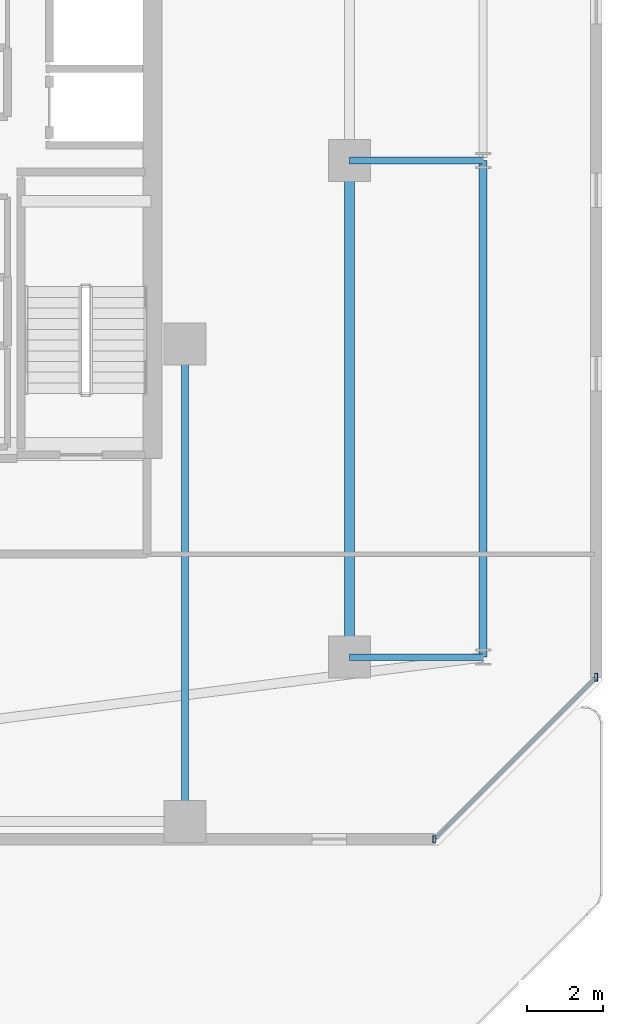
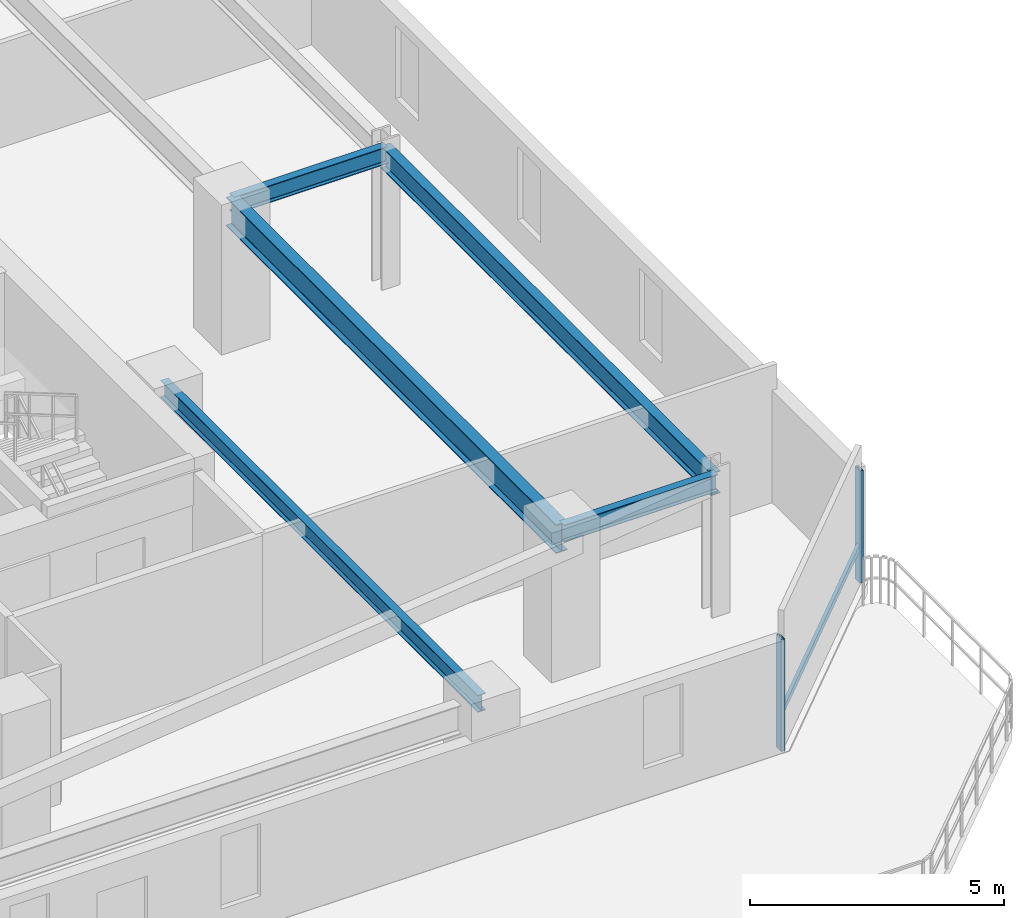
# One storey, part 12 of 30: 5 beams, 3 members, 1 element without a shape of its own.
"""IFC4 building model written with IfcOpenShell, lengths in metres."""

from ifc_helpers import new_model, si_unit, direction, frame, origin, origin_2d, place, context, subcontext, project, spatial, hollow_rectangle, i_section, extrude, material, material_profile, profile_set, type_object, element, aggregate, save


model = new_model("IFC4")

# Units and contexts
model_context = context("Model", 3, precision=1e-05, world=origin(), true_north=direction((0.0, 1.0)))
body_context = subcontext(model_context, "Body", "Model", "MODEL_VIEW")
ifc_project = project(units=[si_unit("LENGTHUNIT", "METRE"), si_unit("AREAUNIT", "SQUARE_METRE"), si_unit("VOLUMEUNIT", "CUBIC_METRE"), si_unit("PLANEANGLEUNIT", "RADIAN"), si_unit("MASSUNIT", "GRAM", prefix="KILO")], contexts=[model_context])

# Site, building, storey
site_placement = place(None, origin())
site = spatial("IfcSite", under=ifc_project, at=site_placement, CompositionType="ELEMENT")
building_placement = place(site_placement, origin())
building = spatial("IfcBuilding", under=site, at=building_placement, Name="Thornwick Lancets Civic Towers", CompositionType="ELEMENT")
storey_placement = place(building_placement, frame((0.0, 0.0, 149.10009765625)))
storey = spatial("IfcBuildingStorey", under=building, at=storey_placement, Name="L39", CompositionType="ELEMENT", Elevation=149.10009765625)

# Beams
ifc_material_1 = material(Name="Steel S355JR", Category="steel")
ifc_material_profile_1 = material_profile(ifc_material_1, i_section(OverallWidth=0.210693359375, OverallDepth=0.53955078125, WebThickness=0.01171875, FlangeThickness=0.018798828125, FilletRadius=0.0126953125, at=origin_2d()), Name="UKB 533x210x109")
ifc_profile_set_1 = profile_set([ifc_material_profile_1], Name="Steel S355JR")
beam_type_1 = type_object("IfcBeamType", Name="BM_EDGE_533_109", PredefinedType="SPANDREL", material=ifc_profile_set_1)
beam_1_placement = place(storey_placement, frame((109.300048828125, 14.0, 3.050048828125), z_axis=(0.0, 1.0, 0.0), x_axis=(-1.0, 0.0, 0.0)))
element("IfcBeam", 1, at=beam_1_placement, inside=storey, type_object=beam_type_1, Name="BM-EDGE-L39-B-S0-1", PredefinedType="SPANDREL", context=body_context, shape_type="SweptSolid", body=[
    extrude(i_section(OverallWidth=0.210693359375, OverallDepth=0.53955078125, WebThickness=0.01171875, FlangeThickness=0.018798828125, FilletRadius=0.0126953125, at=origin_2d()), origin(), (0.0, 0.0, 1.0), 13.0),
])
ifc_material_profile_2 = material_profile(ifc_material_1, i_section(OverallWidth=0.255859375, OverallDepth=0.69287109375, WebThickness=0.014404296875, FlangeThickness=0.023681640625, FilletRadius=0.01513671875, at=origin_2d()), Name="UKB 686x254x170")
ifc_profile_set_2 = profile_set([ifc_material_profile_2], Name="Steel S355JR")
beam_type_2 = type_object("IfcBeamType", Name="BM_GIRD_686_170", PredefinedType="BEAM", material=ifc_profile_set_2)
beam_2_placement = place(storey_placement, frame((105.800048828125, 14.0, 2.973388671875), z_axis=(0.0, 1.0, 0.0), x_axis=(-1.0, 0.0, 0.0)))
element("IfcBeam", 2, at=beam_2_placement, inside=storey, type_object=beam_type_2, Name="BM-SPINE-L39-B-0-1", PredefinedType="BEAM", context=body_context, shape_type="SweptSolid", body=[
    extrude(i_section(OverallWidth=0.255859375, OverallDepth=0.69287109375, WebThickness=0.014404296875, FlangeThickness=0.023681640625, FilletRadius=0.01513671875, at=origin_2d()), origin(), (0.0, 0.0, 1.0), 13.0),
])
ifc_material_profile_3 = material_profile(ifc_material_1, i_section(OverallWidth=0.179443359375, OverallDepth=0.412841796875, WebThickness=0.009521484375, FlangeThickness=0.01611328125, FilletRadius=0.01025390625, at=origin_2d()), Name="UKB 406x178x74")
ifc_profile_set_3 = profile_set([ifc_material_profile_3], Name="Steel S355JR")
beam_type_3 = type_object("IfcBeamType", Name="BM_JOIST_406_74", PredefinedType="JOIST", material=ifc_profile_set_3)
for number, where, z_axis, x_axis, name in (
    (3, (105.800048828125, 14.0, 3.113525390625), (1.0, 0.0, 0.0), (0.0, 1.0, 0.0), "BM-RAD-L39-B01"),
    (4, (105.800048828125, 27.0, 3.113525390625), (1.0, 0.0, 0.0), (0.0, 1.0, 0.0), "BM-RAD-L39-B02"),
):
    element("IfcBeam", number, at=place(storey_placement, frame(where, z_axis=z_axis, x_axis=x_axis)), inside=storey, type_object=beam_type_3, Name=name, PredefinedType="JOIST", context=body_context, shape_type="SweptSolid", body=[
        extrude(i_section(OverallWidth=0.179443359375, OverallDepth=0.412841796875, WebThickness=0.009521484375, FlangeThickness=0.01611328125, FilletRadius=0.01025390625, at=origin_2d()), origin(), (0.0, 0.0, 1.0), 3.5),
    ])
beam_3_placement = place(storey_placement, frame((101.5, 22.199951171875, 3.113525390625), z_axis=(0.0, -1.0, 0.0), x_axis=(1.0, 0.0, 0.0)))
element("IfcBeam", 5, at=beam_3_placement, inside=storey, type_object=beam_type_3, Name="BM-RADIN-L39-B10", PredefinedType="JOIST", context=body_context, shape_type="SweptSolid", body=[
    extrude(i_section(OverallWidth=0.179443359375, OverallDepth=0.412841796875, WebThickness=0.009521484375, FlangeThickness=0.01611328125, FilletRadius=0.01025390625, at=origin_2d()), origin(), (0.0, 0.0, 1.0), 12.5),
])

# Curtain wall, members
ifc_material_2 = material(Name="Mid-zone chamfered-corner unitised glass curtain wall", Category="glass")
curtain_wall_type = type_object("IfcCurtainWallType", Name="CW_SYS_04", PredefinedType="NOTDEFINED", material=ifc_material_2)
curtain_wall_placement = place(storey_placement, origin())
curtain_wall = element("IfcCurtainWall", 6, at=curtain_wall_placement, inside=storey, type_object=curtain_wall_type, Name="L39 Curtain Wall CW-L39-B-E1", PredefinedType="NOTDEFINED")
ifc_material_3 = material(Name="Thermally broken bronze aluminium S355", Category="steel")
ifc_material_profile_4 = material_profile(ifc_material_3, hollow_rectangle(XDim=0.080078125, YDim=0.199951171875, WallThickness=0.006103515625, at=origin_2d()), Name="RHS 200x80x6")
ifc_profile_set_4 = profile_set([ifc_material_profile_4], Name="Thermally broken bronze aluminium S355")
member_type_1 = type_object("IfcMemberType", Name="CW_MUL_200", PredefinedType="MULLION", material=ifc_profile_set_4)
member_1_placement = place(storey_placement, frame((108.02587890625, 9.24072265625, 0.0), z_axis=(0.0, 0.0, 1.0), x_axis=(1.0, 0.0, 0.0)))
member_1 = element("IfcMember", 7, at=member_1_placement, type_object=member_type_1, Name="CW-L39-B-E1 Mullion 0", PredefinedType="MULLION", context=body_context, shape_type="SweptSolid", body=[
    extrude(hollow_rectangle(XDim=0.080078125, YDim=0.199951171875, WallThickness=0.006103515625, at=origin_2d()), origin(), (0.0, 0.0, 1.0), 2.699951171875),
])
member_2_placement = place(storey_placement, frame((112.25927734375, 13.47412109375, 0.0), z_axis=(0.0, 0.0, 1.0), x_axis=(1.0, 0.0, 0.0)))
member_2 = element("IfcMember", 8, at=member_2_placement, type_object=member_type_1, Name="CW-L39-B-E1 Mullion 1", PredefinedType="MULLION", context=body_context, shape_type="SweptSolid", body=[
    extrude(hollow_rectangle(XDim=0.080078125, YDim=0.199951171875, WallThickness=0.006103515625, at=origin_2d()), origin(), (0.0, 0.0, 1.0), 2.699951171875),
])
ifc_material_profile_5 = material_profile(ifc_material_3, hollow_rectangle(XDim=0.074951171875, YDim=0.14990234375, WallThickness=0.0048828125, at=origin_2d()), Name="RHS 150x75x5")
ifc_profile_set_5 = profile_set([ifc_material_profile_5], Name="Thermally broken bronze aluminium S355")
member_type_2 = type_object("IfcMemberType", Name="CW_TRN_150", PredefinedType="USERDEFINED", material=ifc_profile_set_5)
member_3_placement = place(storey_placement, frame((108.0400390625, 9.2548828125, 0.849853515625), z_axis=(0.707106781187, 0.707106781187, 0.0), x_axis=(-0.707106781187, 0.707106781187, 0.0)))
member_3 = element("IfcMember", 9, at=member_3_placement, type_object=member_type_2, Name="CW-L39-B-E1 Transom 0", ObjectType="TRANSOM", PredefinedType="USERDEFINED", context=body_context, shape_type="SweptSolid", body=[
    extrude(hollow_rectangle(XDim=0.074951171875, YDim=0.14990234375, WallThickness=0.0048828125, at=origin_2d()), origin(), (0.0, 0.0, 1.0), 5.94677734375),
])
aggregate(curtain_wall, [member_1, member_2, member_3])

save(model, "model.ifc")
